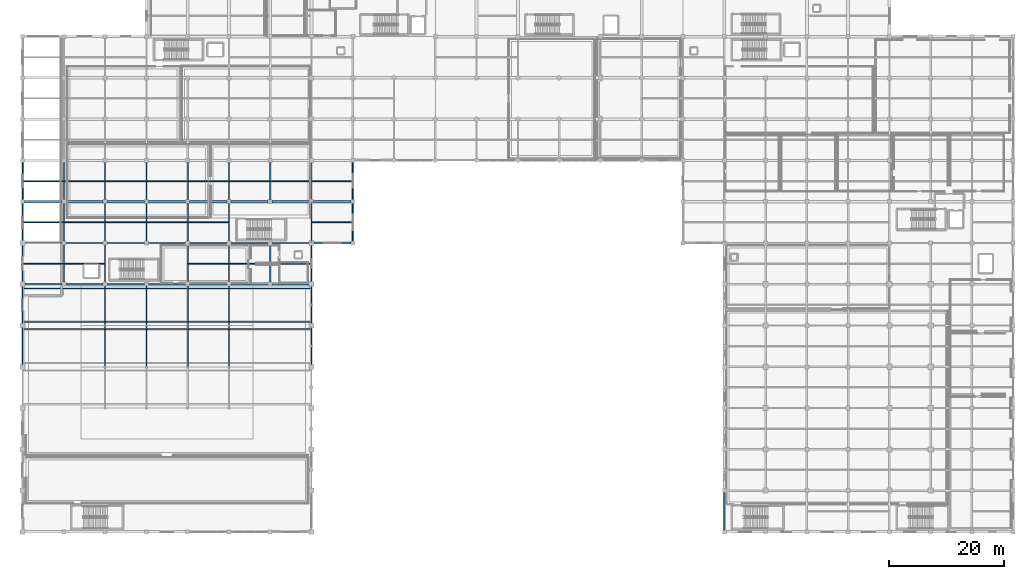
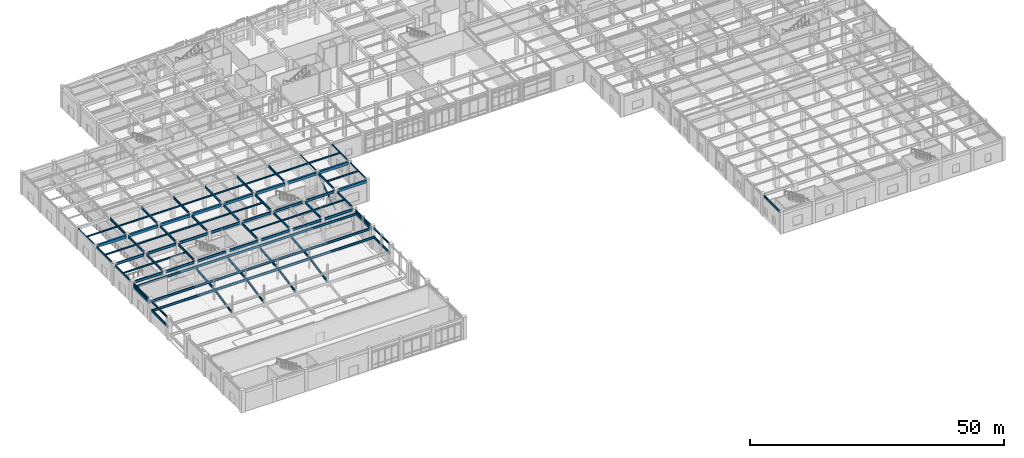
# One storey, part 21 of 102: 86 beams, 1 member.
"""IFC4 building model written with IfcOpenShell, lengths in metres."""

from ifc_helpers import new_model, si_unit, direction, frame, origin, origin_2d, place, context, subcontext, project, spatial, rectangle, hollow_rectangle, i_section, extrude, material, material_profile, profile_set, type_object, element, save


model = new_model("IFC4")

# Units and contexts
model_context = context("Model", 3, precision=1e-05, world=origin(), true_north=direction((0.0, 1.0)))
body_context = subcontext(model_context, "Body", "Model", "MODEL_VIEW")
ifc_project = project(units=[si_unit("LENGTHUNIT", "METRE"), si_unit("AREAUNIT", "SQUARE_METRE"), si_unit("VOLUMEUNIT", "CUBIC_METRE"), si_unit("PLANEANGLEUNIT", "RADIAN"), si_unit("MASSUNIT", "GRAM", prefix="KILO")], contexts=[model_context])

# Site, building, storey
site_placement = place(None, origin())
site = spatial("IfcSite", under=ifc_project, at=site_placement, CompositionType="ELEMENT")
building_placement = place(site_placement, origin())
building = spatial("IfcBuilding", under=site, at=building_placement, Name="Carrowvane Square Congress Hotel", CompositionType="ELEMENT")
storey_placement = place(building_placement, origin())
storey = spatial("IfcBuildingStorey", under=building, at=storey_placement, Name="L00", CompositionType="ELEMENT", Elevation=0.0)

# Beams
ifc_material_1 = material(Name="Concrete C35/45", Category="concrete")
ifc_material_profile_1 = material_profile(ifc_material_1, rectangle(XDim=0.39990234375, YDim=0.64990234375, at=origin_2d()), Name="RC 400x650")
ifc_profile_set_1 = profile_set([ifc_material_profile_1], Name="Concrete C35/45")
beam_type_1 = type_object("IfcBeamType", Name="BM-RC-400x650", PredefinedType="BEAM", material=ifc_profile_set_1)
for number, where, z_axis, x_axis, name in (
    (1, (11.949951171875, 63.0, 4.77490234375), (1.0, 0.0, 0.0), (0.0, 1.0, 0.0), "L01 girder J/1-2"),
    (2, (19.14990234375, 63.0, 4.77490234375), (1.0, 0.0, 0.0), (0.0, 1.0, 0.0), "L01 girder J/2-3"),
    (3, (26.35009765625, 63.0, 4.77490234375), (1.0, 0.0, 0.0), (0.0, 1.0, 0.0), "L01 girder J/3-4"),
    (4, (33.550048828125, 63.0, 4.77490234375), (1.0, 0.0, 0.0), (0.0, 1.0, 0.0), "L01 girder J/4-5"),
    (5, (40.75, 63.0, 4.77490234375), (1.0, 0.0, 0.0), (0.0, 1.0, 0.0), "L01 girder J/5-6"),
    (6, (47.949951171875, 63.0, 4.77490234375), (1.0, 0.0, 0.0), (0.0, 1.0, 0.0), "L01 girder J/6-7"),
    (7, (55.14990234375, 63.0, 4.77490234375), (1.0, 0.0, 0.0), (0.0, 1.0, 0.0), "L01 girder J/7-8"),
    (8, (62.35009765625, 63.0, 4.77490234375), (1.0, 0.0, 0.0), (0.0, 1.0, 0.0), "L01 girder J/8-9"),
):
    element("IfcBeam", number, at=place(storey_placement, frame(where, z_axis=z_axis, x_axis=x_axis)), inside=storey, type_object=beam_type_1, Name=name, PredefinedType="BEAM", context=body_context, shape_type="SweptSolid", body=[
        extrude(rectangle(XDim=0.39990234375, YDim=0.64990234375, at=origin_2d()), origin(), (0.0, 0.0, 1.0), 6.5),
    ])
ifc_material_2 = material(Name="Steel S355", Category="steel")
ifc_material_profile_2 = material_profile(ifc_material_2, hollow_rectangle(XDim=0.14990234375, YDim=0.25, WallThickness=0.012451171875, at=origin_2d()), Name="RHS 250x150x12.5")
ifc_profile_set_2 = profile_set([ifc_material_profile_2], Name="Steel S355")
beam_type_2 = type_object("IfcBeamType", Name="BM-ST-RHS250", PredefinedType="SPANDREL", material=ifc_profile_set_2)
for number, where, z_axis, x_axis, name in (
    (9, (11.60009765625, 63.35009765625, 4.97509765625), (0.0, 1.0, 0.0), (-1.0, 0.0, 0.0), "L01 girder 1/J-K"),
    (10, (62.0, 63.35009765625, 4.97509765625), (0.0, 1.0, 0.0), (-1.0, 0.0, 0.0), "L01 girder 8/J-K"),
    (11, (69.199951171875, 56.14990234375, 4.97509765625), (0.0, 1.0, 0.0), (-1.0, 0.0, 0.0), "L01 girder 9/H-J"),
    (12, (69.199951171875, 63.35009765625, 4.97509765625), (0.0, 1.0, 0.0), (-1.0, 0.0, 0.0), "L01 girder 9/J-K"),
):
    element("IfcBeam", number, at=place(storey_placement, frame(where, z_axis=z_axis, x_axis=x_axis)), inside=storey, type_object=beam_type_2, Name=name, PredefinedType="SPANDREL", context=body_context, shape_type="SweptSolid", body=[
        extrude(hollow_rectangle(XDim=0.14990234375, YDim=0.25, WallThickness=0.012451171875, at=origin_2d()), origin(), (0.0, 0.0, 1.0), 6.5),
    ])
ifc_material_3 = material(Name="Steel S355", Category="steel")
ifc_material_profile_3 = material_profile(ifc_material_3, i_section(OverallWidth=0.172119140625, OverallDepth=0.35791015625, WebThickness=0.008056640625, FlangeThickness=0.012939453125, FilletRadius=0.01025390625, at=origin_2d()), Name="UKB 356x171x57")
ifc_profile_set_3 = profile_set([ifc_material_profile_3], Name="Steel S355")
beam_type_3 = type_object("IfcBeamType", Name="BM-ST-UKB356", PredefinedType="JOIST", material=ifc_profile_set_3)
for number, where, z_axis, x_axis, name in (
    (13, (11.695556640625, 52.199951171875, 4.9208984375), (1.0, 0.0, 0.0), (0.0, 1.0, 0.0), "L01 secondary joist 1-2"),
    (14, (11.695556640625, 59.39990234375, 4.9208984375), (1.0, 0.0, 0.0), (0.0, 1.0, 0.0), "L01 secondary joist 1-2"),
):
    element("IfcBeam", number, at=place(storey_placement, frame(where, z_axis=z_axis, x_axis=x_axis)), inside=storey, type_object=beam_type_3, Name=name, PredefinedType="JOIST", context=body_context, shape_type="SweptSolid", body=[
        extrude(i_section(OverallWidth=0.172119140625, OverallDepth=0.35791015625, WebThickness=0.008056640625, FlangeThickness=0.012939453125, FilletRadius=0.01025390625, at=origin_2d()), origin(), (0.0, 0.0, 1.0), 6.99951171875),
    ])
beam_1_placement = place(storey_placement, frame((11.675048828125, 66.60009765625, 4.9208984375), z_axis=(1.0, 0.0, 0.0), x_axis=(0.0, 1.0, 0.0)))
element("IfcBeam", 15, at=beam_1_placement, inside=storey, type_object=beam_type_3, Name="L01 secondary joist 1-2", PredefinedType="JOIST", context=body_context, shape_type="SweptSolid", body=[
    extrude(i_section(OverallWidth=0.172119140625, OverallDepth=0.35791015625, WebThickness=0.008056640625, FlangeThickness=0.012939453125, FilletRadius=0.01025390625, at=origin_2d()), origin(), (0.0, 0.0, 1.0), 7.02001953125),
])
for number, where, z_axis, x_axis, name in (
    (16, (18.905029296875, 52.199951171875, 4.9208984375), (1.0, 0.0, 0.0), (0.0, 1.0, 0.0), "L01 secondary joist 2-3"),
    (17, (18.905029296875, 59.39990234375, 4.9208984375), (1.0, 0.0, 0.0), (0.0, 1.0, 0.0), "L01 secondary joist 2-3"),
    (18, (18.905029296875, 66.60009765625, 4.9208984375), (1.0, 0.0, 0.0), (0.0, 1.0, 0.0), "L01 secondary joist 2-3"),
    (19, (26.10498046875, 59.39990234375, 4.9208984375), (1.0, 0.0, 0.0), (0.0, 1.0, 0.0), "L01 secondary joist 3-4"),
    (20, (26.10498046875, 66.60009765625, 4.9208984375), (1.0, 0.0, 0.0), (0.0, 1.0, 0.0), "L01 secondary joist 3-4"),
    (21, (33.304931640625, 59.39990234375, 4.9208984375), (1.0, 0.0, 0.0), (0.0, 1.0, 0.0), "L01 secondary joist 4-5"),
    (22, (33.304931640625, 66.60009765625, 4.9208984375), (1.0, 0.0, 0.0), (0.0, 1.0, 0.0), "L01 secondary joist 4-5"),
):
    element("IfcBeam", number, at=place(storey_placement, frame(where, z_axis=z_axis, x_axis=x_axis)), inside=storey, type_object=beam_type_3, Name=name, PredefinedType="JOIST", context=body_context, shape_type="SweptSolid", body=[
        extrude(i_section(OverallWidth=0.172119140625, OverallDepth=0.35791015625, WebThickness=0.008056640625, FlangeThickness=0.012939453125, FilletRadius=0.01025390625, at=origin_2d()), origin(), (0.0, 0.0, 1.0), 6.989990234375),
    ])
for number, where, z_axis, x_axis, name in (
    (23, (40.5048828125, 52.199951171875, 4.9208984375), (1.0, 0.0, 0.0), (0.0, 1.0, 0.0), "L01 secondary joist 5-6"),
    (24, (40.5048828125, 59.39990234375, 4.9208984375), (1.0, 0.0, 0.0), (0.0, 1.0, 0.0), "L01 secondary joist 5-6"),
    (25, (40.5048828125, 66.60009765625, 4.9208984375), (1.0, 0.0, 0.0), (0.0, 1.0, 0.0), "L01 secondary joist 5-6"),
):
    element("IfcBeam", number, at=place(storey_placement, frame(where, z_axis=z_axis, x_axis=x_axis)), inside=storey, type_object=beam_type_3, Name=name, PredefinedType="JOIST", context=body_context, shape_type="SweptSolid", body=[
        extrude(i_section(OverallWidth=0.172119140625, OverallDepth=0.35791015625, WebThickness=0.008056640625, FlangeThickness=0.012939453125, FilletRadius=0.01025390625, at=origin_2d()), origin(), (0.0, 0.0, 1.0), 6.990234375),
    ])
for number, where, z_axis, x_axis, name in (
    (26, (47.705078125, 52.199951171875, 4.9208984375), (1.0, 0.0, 0.0), (0.0, 1.0, 0.0), "L01 secondary joist 6-7"),
    (27, (47.705078125, 66.60009765625, 4.9208984375), (1.0, 0.0, 0.0), (0.0, 1.0, 0.0), "L01 secondary joist 6-7"),
):
    element("IfcBeam", number, at=place(storey_placement, frame(where, z_axis=z_axis, x_axis=x_axis)), inside=storey, type_object=beam_type_3, Name=name, PredefinedType="JOIST", context=body_context, shape_type="SweptSolid", body=[
        extrude(i_section(OverallWidth=0.172119140625, OverallDepth=0.35791015625, WebThickness=0.008056640625, FlangeThickness=0.012939453125, FilletRadius=0.01025390625, at=origin_2d()), origin(), (0.0, 0.0, 1.0), 6.989990234375),
    ])
beam_2_placement = place(storey_placement, frame((54.905029296875, 52.199951171875, 4.9208984375), z_axis=(1.0, 0.0, 0.0), x_axis=(0.0, 1.0, 0.0)))
element("IfcBeam", 28, at=beam_2_placement, inside=storey, type_object=beam_type_3, Name="L01 secondary joist 7-8", PredefinedType="JOIST", context=body_context, shape_type="SweptSolid", body=[
    extrude(i_section(OverallWidth=0.172119140625, OverallDepth=0.35791015625, WebThickness=0.008056640625, FlangeThickness=0.012939453125, FilletRadius=0.01025390625, at=origin_2d()), origin(), (0.0, 0.0, 1.0), 6.999267578125),
])
beam_3_placement = place(storey_placement, frame((54.905029296875, 66.60009765625, 4.9208984375), z_axis=(1.0, 0.0, 0.0), x_axis=(0.0, 1.0, 0.0)))
element("IfcBeam", 29, at=beam_3_placement, inside=storey, type_object=beam_type_3, Name="L01 secondary joist 7-8", PredefinedType="JOIST", context=body_context, shape_type="SweptSolid", body=[
    extrude(i_section(OverallWidth=0.172119140625, OverallDepth=0.35791015625, WebThickness=0.008056640625, FlangeThickness=0.012939453125, FilletRadius=0.01025390625, at=origin_2d()), origin(), (0.0, 0.0, 1.0), 7.02001953125),
])
beam_4_placement = place(storey_placement, frame((62.095703125, 59.39990234375, 4.9208984375), z_axis=(1.0, 0.0, 0.0), x_axis=(0.0, 1.0, 0.0)))
element("IfcBeam", 30, at=beam_4_placement, inside=storey, type_object=beam_type_3, Name="L01 secondary joist 8-9", PredefinedType="JOIST", context=body_context, shape_type="SweptSolid", body=[
    extrude(i_section(OverallWidth=0.172119140625, OverallDepth=0.35791015625, WebThickness=0.008056640625, FlangeThickness=0.012939453125, FilletRadius=0.01025390625, at=origin_2d()), origin(), (0.0, 0.0, 1.0), 7.029296875),
])
beam_5_placement = place(storey_placement, frame((62.074951171875, 66.60009765625, 4.9208984375), z_axis=(1.0, 0.0, 0.0), x_axis=(0.0, 1.0, 0.0)))
element("IfcBeam", 31, at=beam_5_placement, inside=storey, type_object=beam_type_3, Name="L01 secondary joist 8-9", PredefinedType="JOIST", context=body_context, shape_type="SweptSolid", body=[
    extrude(i_section(OverallWidth=0.172119140625, OverallDepth=0.35791015625, WebThickness=0.008056640625, FlangeThickness=0.012939453125, FilletRadius=0.01025390625, at=origin_2d()), origin(), (0.0, 0.0, 1.0), 7.050048828125),
])
ifc_material_4 = material(Name="Steel S355", Category="steel")
ifc_material_profile_4 = material_profile(ifc_material_4, i_section(OverallWidth=0.19140625, OverallDepth=0.4599609375, WebThickness=0.010009765625, FlangeThickness=0.01611328125, FilletRadius=0.01025390625, at=origin_2d()), Name="UKB 457x191x82")
ifc_profile_set_4 = profile_set([ifc_material_profile_4], Name="Steel S355")
beam_type_4 = type_object("IfcBeamType", Name="BM-ST-UKB457", PredefinedType="SPANDREL", material=ifc_profile_set_4)
beam_6_placement = place(storey_placement, frame((11.60009765625, 34.64990234375, 4.8701171875), z_axis=(0.0, 1.0, 0.0), x_axis=(-1.0, 0.0, 0.0)))
element("IfcBeam", 32, at=beam_6_placement, inside=storey, type_object=beam_type_4, Name="L01 girder 1/E-F", PredefinedType="SPANDREL", context=body_context, shape_type="SweptSolid", body=[
    extrude(i_section(OverallWidth=0.19140625, OverallDepth=0.4599609375, WebThickness=0.010009765625, FlangeThickness=0.01611328125, FilletRadius=0.01025390625, at=origin_2d()), origin(), (0.0, 0.0, 1.0), 6.300048828125),
])
beam_7_placement = place(storey_placement, frame((11.60009765625, 41.85009765625, 4.8701171875), z_axis=(0.0, 1.0, 0.0), x_axis=(-1.0, 0.0, 0.0)))
element("IfcBeam", 33, at=beam_7_placement, inside=storey, type_object=beam_type_4, Name="L01 girder 1/F-G", PredefinedType="SPANDREL", context=body_context, shape_type="SweptSolid", body=[
    extrude(i_section(OverallWidth=0.19140625, OverallDepth=0.4599609375, WebThickness=0.010009765625, FlangeThickness=0.01611328125, FilletRadius=0.01025390625, at=origin_2d()), origin(), (0.0, 0.0, 1.0), 6.2998046875),
])
beam_8_placement = place(storey_placement, frame((11.60009765625, 49.050048828125, 4.8701171875), z_axis=(0.0, 1.0, 0.0), x_axis=(-1.0, 0.0, 0.0)))
element("IfcBeam", 34, at=beam_8_placement, inside=storey, type_object=beam_type_4, Name="L01 girder 1/G-H", PredefinedType="SPANDREL", context=body_context, shape_type="SweptSolid", body=[
    extrude(i_section(OverallWidth=0.19140625, OverallDepth=0.4599609375, WebThickness=0.010009765625, FlangeThickness=0.01611328125, FilletRadius=0.01025390625, at=origin_2d()), origin(), (0.0, 0.0, 1.0), 6.300048828125),
])
beam_9_placement = place(storey_placement, frame((11.60009765625, 56.25, 4.8701171875), z_axis=(0.0, 1.0, 0.0), x_axis=(-1.0, 0.0, 0.0)))
element("IfcBeam", 35, at=beam_9_placement, inside=storey, type_object=beam_type_4, Name="L01 girder 1/H-J", PredefinedType="SPANDREL", context=body_context, shape_type="SweptSolid", body=[
    extrude(i_section(OverallWidth=0.19140625, OverallDepth=0.4599609375, WebThickness=0.010009765625, FlangeThickness=0.01611328125, FilletRadius=0.01025390625, at=origin_2d()), origin(), (0.0, 0.0, 1.0), 6.39990234375),
])
beam_10_placement = place(storey_placement, frame((62.0, 34.64990234375, 4.8701171875), z_axis=(0.0, 1.0, 0.0), x_axis=(-1.0, 0.0, 0.0)))
element("IfcBeam", 36, at=beam_10_placement, inside=storey, type_object=beam_type_4, Name="L01 girder 8/E-F", PredefinedType="SPANDREL", context=body_context, shape_type="SweptSolid", body=[
    extrude(i_section(OverallWidth=0.19140625, OverallDepth=0.4599609375, WebThickness=0.010009765625, FlangeThickness=0.01611328125, FilletRadius=0.01025390625, at=origin_2d()), origin(), (0.0, 0.0, 1.0), 6.300048828125),
])
beam_11_placement = place(storey_placement, frame((62.0, 41.85009765625, 4.8701171875), z_axis=(0.0, 1.0, 0.0), x_axis=(-1.0, 0.0, 0.0)))
element("IfcBeam", 37, at=beam_11_placement, inside=storey, type_object=beam_type_4, Name="L01 girder 8/F-G", PredefinedType="SPANDREL", context=body_context, shape_type="SweptSolid", body=[
    extrude(i_section(OverallWidth=0.19140625, OverallDepth=0.4599609375, WebThickness=0.010009765625, FlangeThickness=0.01611328125, FilletRadius=0.01025390625, at=origin_2d()), origin(), (0.0, 0.0, 1.0), 6.2998046875),
])
beam_12_placement = place(storey_placement, frame((62.0, 49.050048828125, 4.8701171875), z_axis=(0.0, 1.0, 0.0), x_axis=(-1.0, 0.0, 0.0)))
element("IfcBeam", 38, at=beam_12_placement, inside=storey, type_object=beam_type_4, Name="L01 girder 8/G-H", PredefinedType="SPANDREL", context=body_context, shape_type="SweptSolid", body=[
    extrude(i_section(OverallWidth=0.19140625, OverallDepth=0.4599609375, WebThickness=0.010009765625, FlangeThickness=0.01611328125, FilletRadius=0.01025390625, at=origin_2d()), origin(), (0.0, 0.0, 1.0), 6.300048828125),
])
beam_13_placement = place(storey_placement, frame((62.0, 56.25, 4.8701171875), z_axis=(0.0, 1.0, 0.0), x_axis=(-1.0, 0.0, 0.0)))
element("IfcBeam", 39, at=beam_13_placement, inside=storey, type_object=beam_type_4, Name="L01 girder 8/H-J", PredefinedType="SPANDREL", context=body_context, shape_type="SweptSolid", body=[
    extrude(i_section(OverallWidth=0.19140625, OverallDepth=0.4599609375, WebThickness=0.010009765625, FlangeThickness=0.01611328125, FilletRadius=0.01025390625, at=origin_2d()), origin(), (0.0, 0.0, 1.0), 6.39990234375),
])
beam_14_placement = place(storey_placement, frame((134.0, 5.75, 4.8701171875), z_axis=(0.0, 1.0, 0.0), x_axis=(-1.0, 0.0, 0.0)))
element("IfcBeam", 40, at=beam_14_placement, inside=storey, type_object=beam_type_4, Name="L01 girder 18/A-B", PredefinedType="SPANDREL", context=body_context, shape_type="SweptSolid", body=[
    extrude(i_section(OverallWidth=0.19140625, OverallDepth=0.4599609375, WebThickness=0.010009765625, FlangeThickness=0.01611328125, FilletRadius=0.01025390625, at=origin_2d()), origin(), (0.0, 0.0, 1.0), 6.5),
])
ifc_material_5 = material(Name="Steel S355", Category="steel")
ifc_material_profile_5 = material_profile(ifc_material_5, i_section(OverallWidth=0.2099609375, OverallDepth=0.53662109375, WebThickness=0.0107421875, FlangeThickness=0.017333984375, FilletRadius=0.0126953125, at=origin_2d()), Name="UKB 533x210x101")
ifc_profile_set_5 = profile_set([ifc_material_profile_5], Name="Steel S355")
beam_type_5 = type_object("IfcBeamType", Name="BM-ST-UKB533", PredefinedType="USERDEFINED", material=ifc_profile_set_5)
for number, where, z_axis, x_axis, name in (
    (41, (18.800048828125, 48.949951171875, 4.83154296875), (0.0, 1.0, 0.0), (-1.0, 0.0, 0.0), "L01 girder 2/G-H"),
    (42, (18.800048828125, 56.14990234375, 4.83154296875), (0.0, 1.0, 0.0), (-1.0, 0.0, 0.0), "L01 girder 2/H-J"),
    (43, (18.800048828125, 63.35009765625, 4.83154296875), (0.0, 1.0, 0.0), (-1.0, 0.0, 0.0), "L01 girder 2/J-K"),
    (44, (26.0, 48.949951171875, 4.83154296875), (0.0, 1.0, 0.0), (-1.0, 0.0, 0.0), "L01 girder 3/G-H"),
    (45, (26.0, 56.14990234375, 4.83154296875), (0.0, 1.0, 0.0), (-1.0, 0.0, 0.0), "L01 girder 3/H-J"),
    (46, (26.0, 63.35009765625, 4.83154296875), (0.0, 1.0, 0.0), (-1.0, 0.0, 0.0), "L01 girder 3/J-K"),
    (47, (33.199951171875, 56.14990234375, 4.83154296875), (0.0, 1.0, 0.0), (-1.0, 0.0, 0.0), "L01 girder 4/H-J"),
    (48, (33.199951171875, 63.35009765625, 4.83154296875), (0.0, 1.0, 0.0), (-1.0, 0.0, 0.0), "L01 girder 4/J-K"),
    (49, (40.39990234375, 48.949951171875, 4.83154296875), (0.0, 1.0, 0.0), (-1.0, 0.0, 0.0), "L01 girder 5/G-H"),
    (50, (40.39990234375, 56.14990234375, 4.83154296875), (0.0, 1.0, 0.0), (-1.0, 0.0, 0.0), "L01 girder 5/H-J"),
    (51, (40.39990234375, 63.35009765625, 4.83154296875), (0.0, 1.0, 0.0), (-1.0, 0.0, 0.0), "L01 girder 5/J-K"),
    (52, (47.60009765625, 48.949951171875, 4.83154296875), (0.0, 1.0, 0.0), (-1.0, 0.0, 0.0), "L01 girder 6/G-H"),
    (53, (47.60009765625, 56.14990234375, 4.83154296875), (0.0, 1.0, 0.0), (-1.0, 0.0, 0.0), "L01 girder 6/H-J"),
    (54, (47.60009765625, 63.35009765625, 4.83154296875), (0.0, 1.0, 0.0), (-1.0, 0.0, 0.0), "L01 girder 6/J-K"),
    (55, (54.800048828125, 48.949951171875, 4.83154296875), (0.0, 1.0, 0.0), (-1.0, 0.0, 0.0), "L01 girder 7/G-H"),
    (56, (54.800048828125, 63.35009765625, 4.83154296875), (0.0, 1.0, 0.0), (-1.0, 0.0, 0.0), "L01 girder 7/J-K"),
):
    element("IfcBeam", number, at=place(storey_placement, frame(where, z_axis=z_axis, x_axis=x_axis)), inside=storey, type_object=beam_type_5, Name=name, ObjectType="GIRDER", PredefinedType="USERDEFINED", context=body_context, shape_type="SweptSolid", body=[
        extrude(i_section(OverallWidth=0.2099609375, OverallDepth=0.53662109375, WebThickness=0.0107421875, FlangeThickness=0.017333984375, FilletRadius=0.0126953125, at=origin_2d()), origin(), (0.0, 0.0, 1.0), 6.5),
    ])
for number, where, z_axis, x_axis, name in (
    (57, (11.60009765625, 34.449951171875, 2.83154296875), (0.0, 1.0, 0.0), (-1.0, 0.0, 0.0), "L00 seating tier 2 W header girder"),
    (58, (62.0, 34.449951171875, 2.83154296875), (0.0, 1.0, 0.0), (-1.0, 0.0, 0.0), "L00 seating tier 2 E header girder"),
):
    element("IfcBeam", number, at=place(storey_placement, frame(where, z_axis=z_axis, x_axis=x_axis)), inside=storey, type_object=beam_type_5, Name=name, ObjectType="GIRDER", PredefinedType="USERDEFINED", context=body_context, shape_type="SweptSolid", body=[
        extrude(i_section(OverallWidth=0.2099609375, OverallDepth=0.53662109375, WebThickness=0.0107421875, FlangeThickness=0.017333984375, FilletRadius=0.0126953125, at=origin_2d()), origin(), (0.0, 0.0, 1.0), 6.699951171875),
    ])
beam_15_placement = place(storey_placement, frame((11.60009765625, 40.75, 2.83154296875), z_axis=(1.0, 0.0, 0.0), x_axis=(0.0, 1.0, 0.0)))
element("IfcBeam", 59, at=beam_15_placement, inside=storey, type_object=beam_type_5, Name="L00 seating tier 2 bearer girder 2", ObjectType="GIRDER", PredefinedType="USERDEFINED", context=body_context, shape_type="SweptSolid", body=[
    extrude(i_section(OverallWidth=0.2099609375, OverallDepth=0.53662109375, WebThickness=0.0107421875, FlangeThickness=0.017333984375, FilletRadius=0.0126953125, at=origin_2d()), origin(), (0.0, 0.0, 1.0), 50.39990234375),
])
for number, where, z_axis, x_axis, name in (
    (60, (11.60009765625, 41.64990234375, 4.131591796875), (0.0, 1.0, 0.0), (-1.0, 0.0, 0.0), "L00 seating tier 3 W header girder"),
    (61, (62.0, 41.64990234375, 4.131591796875), (0.0, 1.0, 0.0), (-1.0, 0.0, 0.0), "L00 seating tier 3 E header girder"),
):
    element("IfcBeam", number, at=place(storey_placement, frame(where, z_axis=z_axis, x_axis=x_axis)), inside=storey, type_object=beam_type_5, Name=name, ObjectType="GIRDER", PredefinedType="USERDEFINED", context=body_context, shape_type="SweptSolid", body=[
        extrude(i_section(OverallWidth=0.2099609375, OverallDepth=0.53662109375, WebThickness=0.0107421875, FlangeThickness=0.017333984375, FilletRadius=0.0126953125, at=origin_2d()), origin(), (0.0, 0.0, 1.0), 6.7001953125),
    ])
for number, where, z_axis, x_axis, name in (
    (62, (11.60009765625, 42.050048828125, 4.131591796875), (1.0, 0.0, 0.0), (0.0, 1.0, 0.0), "L00 seating tier 3 bearer girder 1"),
    (63, (11.60009765625, 47.85009765625, 4.131591796875), (1.0, 0.0, 0.0), (0.0, 1.0, 0.0), "L00 seating tier 3 bearer girder 2"),
):
    element("IfcBeam", number, at=place(storey_placement, frame(where, z_axis=z_axis, x_axis=x_axis)), inside=storey, type_object=beam_type_5, Name=name, ObjectType="GIRDER", PredefinedType="USERDEFINED", context=body_context, shape_type="SweptSolid", body=[
        extrude(i_section(OverallWidth=0.2099609375, OverallDepth=0.53662109375, WebThickness=0.0107421875, FlangeThickness=0.017333984375, FilletRadius=0.0126953125, at=origin_2d()), origin(), (0.0, 0.0, 1.0), 50.39990234375),
    ])
ifc_material_6 = material(Name="Steel S355", Category="steel")
ifc_material_profile_6 = material_profile(ifc_material_6, i_section(OverallWidth=0.22900390625, OverallDepth=0.6123046875, WebThickness=0.011962890625, FlangeThickness=0.01953125, FilletRadius=0.0126953125, at=origin_2d()), Name="UKB 610x229x125")
ifc_profile_set_6 = profile_set([ifc_material_profile_6], Name="Steel S355")
beam_type_6 = type_object("IfcBeamType", Name="BM-ST-UKB610A", PredefinedType="USERDEFINED", material=ifc_profile_set_6)
beam_16_placement = place(storey_placement, frame((12.050048828125, 48.60009765625, 4.7939453125), z_axis=(1.0, 0.0, 0.0), x_axis=(0.0, 1.0, 0.0)))
element("IfcBeam", 64, at=beam_16_placement, inside=storey, type_object=beam_type_6, Name="L01 girder G/1-2", ObjectType="GIRDER", PredefinedType="USERDEFINED", context=body_context, shape_type="SweptSolid", body=[
    extrude(i_section(OverallWidth=0.22900390625, OverallDepth=0.6123046875, WebThickness=0.011962890625, FlangeThickness=0.01953125, FilletRadius=0.0126953125, at=origin_2d()), origin(), (0.0, 0.0, 1.0), 6.39990234375),
])
for number, where, z_axis, x_axis, name in (
    (65, (19.14990234375, 48.60009765625, 4.7939453125), (1.0, 0.0, 0.0), (0.0, 1.0, 0.0), "L01 girder G/2-3"),
    (66, (26.35009765625, 48.60009765625, 4.7939453125), (1.0, 0.0, 0.0), (0.0, 1.0, 0.0), "L01 girder G/3-4"),
    (67, (33.550048828125, 48.60009765625, 4.7939453125), (1.0, 0.0, 0.0), (0.0, 1.0, 0.0), "L01 girder G/4-5"),
    (68, (40.75, 48.60009765625, 4.7939453125), (1.0, 0.0, 0.0), (0.0, 1.0, 0.0), "L01 girder G/5-6"),
    (69, (47.949951171875, 48.60009765625, 4.7939453125), (1.0, 0.0, 0.0), (0.0, 1.0, 0.0), "L01 girder G/6-7"),
):
    element("IfcBeam", number, at=place(storey_placement, frame(where, z_axis=z_axis, x_axis=x_axis)), inside=storey, type_object=beam_type_6, Name=name, ObjectType="GIRDER", PredefinedType="USERDEFINED", context=body_context, shape_type="SweptSolid", body=[
        extrude(i_section(OverallWidth=0.22900390625, OverallDepth=0.6123046875, WebThickness=0.011962890625, FlangeThickness=0.01953125, FilletRadius=0.0126953125, at=origin_2d()), origin(), (0.0, 0.0, 1.0), 6.5),
    ])
beam_17_placement = place(storey_placement, frame((55.14990234375, 48.60009765625, 4.7939453125), z_axis=(1.0, 0.0, 0.0), x_axis=(0.0, 1.0, 0.0)))
element("IfcBeam", 70, at=beam_17_placement, inside=storey, type_object=beam_type_6, Name="L01 girder G/7-8", ObjectType="GIRDER", PredefinedType="USERDEFINED", context=body_context, shape_type="SweptSolid", body=[
    extrude(i_section(OverallWidth=0.22900390625, OverallDepth=0.6123046875, WebThickness=0.011962890625, FlangeThickness=0.01953125, FilletRadius=0.0126953125, at=origin_2d()), origin(), (0.0, 0.0, 1.0), 6.400146484375),
])
beam_18_placement = place(storey_placement, frame((12.050048828125, 55.800048828125, 4.7939453125), z_axis=(1.0, 0.0, 0.0), x_axis=(0.0, 1.0, 0.0)))
element("IfcBeam", 71, at=beam_18_placement, inside=storey, type_object=beam_type_6, Name="L01 girder H/1-2", ObjectType="GIRDER", PredefinedType="USERDEFINED", context=body_context, shape_type="SweptSolid", body=[
    extrude(i_section(OverallWidth=0.22900390625, OverallDepth=0.6123046875, WebThickness=0.011962890625, FlangeThickness=0.01953125, FilletRadius=0.0126953125, at=origin_2d()), origin(), (0.0, 0.0, 1.0), 6.39990234375),
])
for number, where, z_axis, x_axis, name in (
    (72, (19.14990234375, 55.800048828125, 4.7939453125), (1.0, 0.0, 0.0), (0.0, 1.0, 0.0), "L01 girder H/2-3"),
    (73, (26.35009765625, 55.800048828125, 4.7939453125), (1.0, 0.0, 0.0), (0.0, 1.0, 0.0), "L01 girder H/3-4"),
    (74, (33.550048828125, 55.800048828125, 4.7939453125), (1.0, 0.0, 0.0), (0.0, 1.0, 0.0), "L01 girder H/4-5"),
    (75, (40.75, 55.800048828125, 4.7939453125), (1.0, 0.0, 0.0), (0.0, 1.0, 0.0), "L01 girder H/5-6"),
    (76, (47.949951171875, 55.800048828125, 4.7939453125), (1.0, 0.0, 0.0), (0.0, 1.0, 0.0), "L01 girder H/6-7"),
):
    element("IfcBeam", number, at=place(storey_placement, frame(where, z_axis=z_axis, x_axis=x_axis)), inside=storey, type_object=beam_type_6, Name=name, ObjectType="GIRDER", PredefinedType="USERDEFINED", context=body_context, shape_type="SweptSolid", body=[
        extrude(i_section(OverallWidth=0.22900390625, OverallDepth=0.6123046875, WebThickness=0.011962890625, FlangeThickness=0.01953125, FilletRadius=0.0126953125, at=origin_2d()), origin(), (0.0, 0.0, 1.0), 6.5),
    ])
beam_19_placement = place(storey_placement, frame((55.14990234375, 55.800048828125, 4.7939453125), z_axis=(1.0, 0.0, 0.0), x_axis=(0.0, 1.0, 0.0)))
element("IfcBeam", 77, at=beam_19_placement, inside=storey, type_object=beam_type_6, Name="L01 girder H/7-8", ObjectType="GIRDER", PredefinedType="USERDEFINED", context=body_context, shape_type="SweptSolid", body=[
    extrude(i_section(OverallWidth=0.22900390625, OverallDepth=0.6123046875, WebThickness=0.011962890625, FlangeThickness=0.01953125, FilletRadius=0.0126953125, at=origin_2d()), origin(), (0.0, 0.0, 1.0), 6.400146484375),
])

# Member
ifc_material_7 = material(Name="Steel S355", Category="steel")
ifc_material_profile_7 = material_profile(ifc_material_7, hollow_rectangle(XDim=0.25, YDim=0.25, WallThickness=0.01611328125, at=origin_2d()), Name="SHS 250x250x16")
ifc_profile_set_7 = profile_set([ifc_material_profile_7], Name="Steel S355")
member_type = type_object("IfcMemberType", Name="MEM-BR-SHS250", PredefinedType="BRACE", material=ifc_profile_set_7)
member_placement = place(storey_placement, frame((62.0, 55.919921875, 0.14990234375), z_axis=(0.0, 0.839762940478, 0.542953224319), x_axis=(-1.0, 0.0, 0.0)))
element("IfcMember", 78, at=member_placement, inside=storey, type_object=member_type, Name="L00 vertical lateral brace 3", PredefinedType="BRACE", context=body_context, shape_type="SweptSolid", body=[
    extrude(hollow_rectangle(XDim=0.25, YDim=0.25, WallThickness=0.01611328125, at=origin_2d()), origin(), (0.0, 0.0, 1.0), 8.2880859375),
])

# Beams
ifc_material_8 = material(Name="Steel S355", Category="steel")
ifc_material_profile_8 = material_profile(ifc_material_8, i_section(OverallWidth=0.2099609375, OverallDepth=0.53662109375, WebThickness=0.0107421875, FlangeThickness=0.017333984375, FilletRadius=0.0126953125, at=origin_2d()), Name="UKB 533x210x101")
ifc_profile_set_8 = profile_set([ifc_material_profile_8], Name="Steel S355")
beam_type_7 = type_object("IfcBeamType", Name="RK-ST-UKB533", PredefinedType="USERDEFINED", material=ifc_profile_set_8)
beam_20_placement = place(storey_placement, frame((26.0, 34.199951171875, 1.199951171875), z_axis=(0.0, 0.980318992232, 0.197420043229), x_axis=(-1.0, 0.0, 0.0)))
element("IfcBeam", 79, at=beam_20_placement, inside=storey, type_object=beam_type_7, Name="L00 Plenary stalls raker beam 1.2", ObjectType="RAKER", PredefinedType="USERDEFINED", context=body_context, shape_type="SweptSolid", body=[
    extrude(i_section(OverallWidth=0.2099609375, OverallDepth=0.53662109375, WebThickness=0.0107421875, FlangeThickness=0.017333984375, FilletRadius=0.0126953125, at=origin_2d()), origin(), (0.0, 0.0, 1.0), 7.344482421875),
])
beam_21_placement = place(storey_placement, frame((26.0, 41.39990234375, 2.64990234375), z_axis=(0.0, 0.996544826035, 0.083056665618), x_axis=(-1.0, 0.0, 0.0)))
element("IfcBeam", 80, at=beam_21_placement, inside=storey, type_object=beam_type_7, Name="L00 Plenary stalls raker beam 1.3", ObjectType="RAKER", PredefinedType="USERDEFINED", context=body_context, shape_type="SweptSolid", body=[
    extrude(i_section(OverallWidth=0.2099609375, OverallDepth=0.53662109375, WebThickness=0.0107421875, FlangeThickness=0.017333984375, FilletRadius=0.0126953125, at=origin_2d()), origin(), (0.0, 0.0, 1.0), 7.22509765625),
])
beam_22_placement = place(storey_placement, frame((33.199951171875, 34.199951171875, 1.199951171875), z_axis=(0.0, 0.980318992232, 0.197420043229), x_axis=(-1.0, 0.0, 0.0)))
element("IfcBeam", 81, at=beam_22_placement, inside=storey, type_object=beam_type_7, Name="L00 Plenary stalls raker beam 2.2", ObjectType="RAKER", PredefinedType="USERDEFINED", context=body_context, shape_type="SweptSolid", body=[
    extrude(i_section(OverallWidth=0.2099609375, OverallDepth=0.53662109375, WebThickness=0.0107421875, FlangeThickness=0.017333984375, FilletRadius=0.0126953125, at=origin_2d()), origin(), (0.0, 0.0, 1.0), 7.344482421875),
])
beam_23_placement = place(storey_placement, frame((33.199951171875, 41.39990234375, 2.64990234375), z_axis=(0.0, 0.996544826035, 0.083056665618), x_axis=(-1.0, 0.0, 0.0)))
element("IfcBeam", 82, at=beam_23_placement, inside=storey, type_object=beam_type_7, Name="L00 Plenary stalls raker beam 2.3", ObjectType="RAKER", PredefinedType="USERDEFINED", context=body_context, shape_type="SweptSolid", body=[
    extrude(i_section(OverallWidth=0.2099609375, OverallDepth=0.53662109375, WebThickness=0.0107421875, FlangeThickness=0.017333984375, FilletRadius=0.0126953125, at=origin_2d()), origin(), (0.0, 0.0, 1.0), 7.22509765625),
])
beam_24_placement = place(storey_placement, frame((40.39990234375, 34.199951171875, 1.199951171875), z_axis=(0.0, 0.980318992232, 0.197420043229), x_axis=(-1.0, 0.0, 0.0)))
element("IfcBeam", 83, at=beam_24_placement, inside=storey, type_object=beam_type_7, Name="L00 Plenary stalls raker beam 3.2", ObjectType="RAKER", PredefinedType="USERDEFINED", context=body_context, shape_type="SweptSolid", body=[
    extrude(i_section(OverallWidth=0.2099609375, OverallDepth=0.53662109375, WebThickness=0.0107421875, FlangeThickness=0.017333984375, FilletRadius=0.0126953125, at=origin_2d()), origin(), (0.0, 0.0, 1.0), 7.344482421875),
])
beam_25_placement = place(storey_placement, frame((40.39990234375, 41.39990234375, 2.64990234375), z_axis=(0.0, 0.996544826035, 0.083056665618), x_axis=(-1.0, 0.0, 0.0)))
element("IfcBeam", 84, at=beam_25_placement, inside=storey, type_object=beam_type_7, Name="L00 Plenary stalls raker beam 3.3", ObjectType="RAKER", PredefinedType="USERDEFINED", context=body_context, shape_type="SweptSolid", body=[
    extrude(i_section(OverallWidth=0.2099609375, OverallDepth=0.53662109375, WebThickness=0.0107421875, FlangeThickness=0.017333984375, FilletRadius=0.0126953125, at=origin_2d()), origin(), (0.0, 0.0, 1.0), 7.22509765625),
])
beam_26_placement = place(storey_placement, frame((47.60009765625, 34.199951171875, 1.199951171875), z_axis=(0.0, 0.980318992232, 0.197420043229), x_axis=(-1.0, 0.0, 0.0)))
element("IfcBeam", 85, at=beam_26_placement, inside=storey, type_object=beam_type_7, Name="L00 Plenary stalls raker beam 4.2", ObjectType="RAKER", PredefinedType="USERDEFINED", context=body_context, shape_type="SweptSolid", body=[
    extrude(i_section(OverallWidth=0.2099609375, OverallDepth=0.53662109375, WebThickness=0.0107421875, FlangeThickness=0.017333984375, FilletRadius=0.0126953125, at=origin_2d()), origin(), (0.0, 0.0, 1.0), 7.344482421875),
])
beam_27_placement = place(storey_placement, frame((47.60009765625, 41.39990234375, 2.64990234375), z_axis=(0.0, 0.996544826035, 0.083056665618), x_axis=(-1.0, 0.0, 0.0)))
element("IfcBeam", 86, at=beam_27_placement, inside=storey, type_object=beam_type_7, Name="L00 Plenary stalls raker beam 4.3", ObjectType="RAKER", PredefinedType="USERDEFINED", context=body_context, shape_type="SweptSolid", body=[
    extrude(i_section(OverallWidth=0.2099609375, OverallDepth=0.53662109375, WebThickness=0.0107421875, FlangeThickness=0.017333984375, FilletRadius=0.0126953125, at=origin_2d()), origin(), (0.0, 0.0, 1.0), 7.22509765625),
])
ifc_material_9 = material(Name="Concrete C35/45", Category="concrete")
ifc_material_profile_9 = material_profile(ifc_material_9, rectangle(XDim=0.39990234375, YDim=0.64990234375, at=origin_2d()), Name="RC 400x650")
ifc_profile_set_9 = profile_set([ifc_material_profile_9], Name="Concrete C35/45")
beam_type_8 = type_object("IfcBeamType", Name="SP-RC-400x650", PredefinedType="SPANDREL", material=ifc_profile_set_9)
beam_28_placement = place(storey_placement, frame((62.449951171875, 55.800048828125, 4.77490234375), z_axis=(1.0, 0.0, 0.0), x_axis=(0.0, 1.0, 0.0)))
element("IfcBeam", 87, at=beam_28_placement, inside=storey, type_object=beam_type_8, Name="L01 girder H/8-9", PredefinedType="SPANDREL", context=body_context, shape_type="SweptSolid", body=[
    extrude(rectangle(XDim=0.39990234375, YDim=0.64990234375, at=origin_2d()), origin(), (0.0, 0.0, 1.0), 6.400146484375),
])

save(model, "model.ifc")
